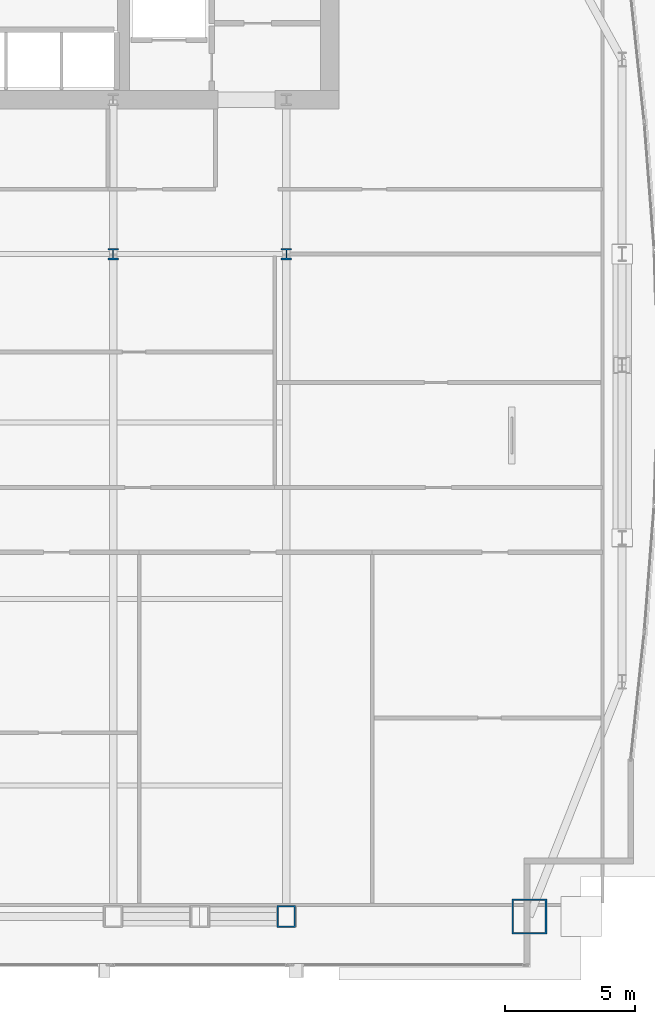
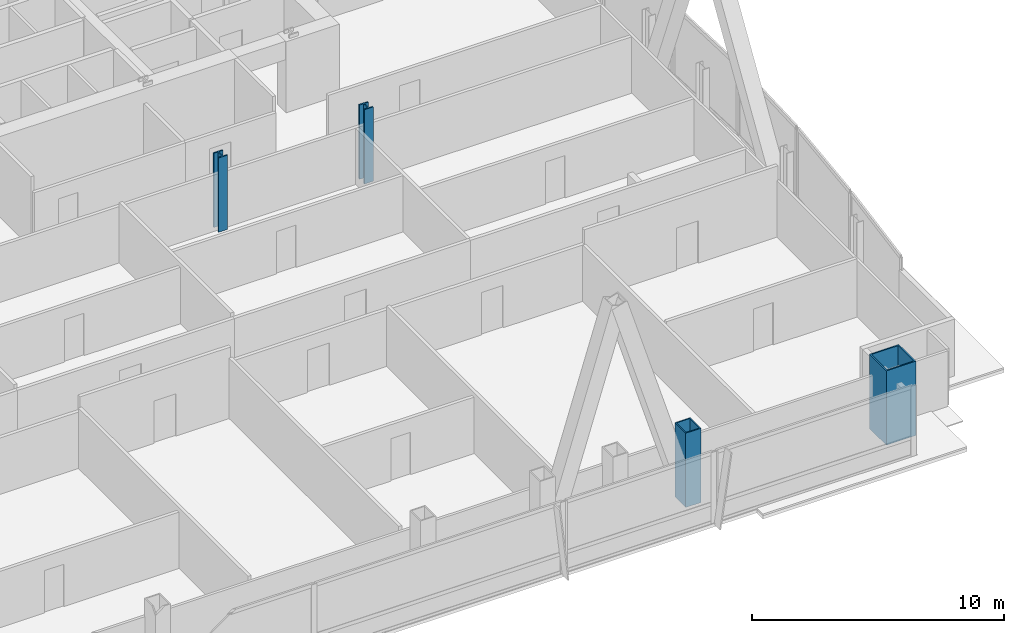
# One storey, part 2 of 30: 4 columns.
"""IFC4 building model written with IfcOpenShell, lengths in metres."""

from ifc_helpers import new_model, si_unit, direction, frame, origin, origin_2d, place, context, subcontext, project, spatial, hollow_rectangle, i_section, extrude, material, material_profile, profile_set, type_object, element, save


model = new_model("IFC4")

# Units and contexts
model_context = context("Model", 3, precision=1e-05, world=origin(), true_north=direction((0.0, 1.0)))
body_context = subcontext(model_context, "Body", "Model", "MODEL_VIEW")
ifc_project = project(units=[si_unit("LENGTHUNIT", "METRE"), si_unit("AREAUNIT", "SQUARE_METRE"), si_unit("VOLUMEUNIT", "CUBIC_METRE"), si_unit("PLANEANGLEUNIT", "RADIAN"), si_unit("MASSUNIT", "GRAM", prefix="KILO")], contexts=[model_context])

# Site, building, storey
site_placement = place(None, origin())
site = spatial("IfcSite", under=ifc_project, at=site_placement, CompositionType="ELEMENT")
building_placement = place(site_placement, origin())
building = spatial("IfcBuilding", under=site, at=building_placement, Name="Khoronbel Lancet Exchange", CompositionType="ELEMENT")
storey_placement = place(building_placement, frame((0.0, 0.0, 136.199951171875)))
storey = spatial("IfcBuildingStorey", under=building, at=storey_placement, Name="L33", CompositionType="ELEMENT", Elevation=136.199951171875)

# Columns
ifc_material = material(Name="Steel S460", Category="steel")
ifc_material_profile_1 = material_profile(ifc_material, hollow_rectangle(XDim=0.699951171875, YDim=0.85009765625, WallThickness=0.050048828125, at=origin_2d()), Name="BOX 850x700x50")
ifc_profile_set_1 = profile_set([ifc_material_profile_1], Name="Steel S460")
column_type_1 = type_object("IfcColumnType", Name="COL-EC2", PredefinedType="COLUMN", material=ifc_profile_set_1)
column_1_placement = place(storey_placement, frame((54.675048828125, 10.14990234375, 0.0), z_axis=(0.0, 0.0, 1.0), x_axis=(1.0, 0.0, 0.0)))
element("IfcColumn", 1, at=column_1_placement, inside=storey, type_object=column_type_1, Name="Structural column SC-E2 L33", PredefinedType="COLUMN", context=body_context, shape_type="SweptSolid", body=[
    extrude(hollow_rectangle(XDim=0.699951171875, YDim=0.85009765625, WallThickness=0.050048828125, at=origin_2d()), origin(), (0.0, 0.0, 1.0), 3.60009765625),
])
ifc_material_profile_2 = material_profile(ifc_material, i_section(OverallWidth=0.416015625, OverallDepth=0.446044921875, WebThickness=0.0390625, FlangeThickness=0.062744140625, at=origin_2d()), Name="HD 400x509")
ifc_profile_set_2 = profile_set([ifc_material_profile_2], Name="Steel S460")
column_type_2 = type_object("IfcColumnType", Name="COL-IC2", PredefinedType="COLUMN", material=ifc_profile_set_2)
for number, where, z_axis, x_axis, name in (
    (2, (48.0, 35.699951171875, 0.0), (0.0, 0.0, 1.0), (1.0, 0.0, 0.0), "Spine gravity column TC3 L33"),
    (3, (54.675048828125, 35.699951171875, 0.0), (0.0, 0.0, 1.0), (1.0, 0.0, 0.0), "Spine gravity column TC4 L33"),
):
    element("IfcColumn", number, at=place(storey_placement, frame(where, z_axis=z_axis, x_axis=x_axis)), inside=storey, type_object=column_type_2, Name=name, PredefinedType="COLUMN", context=body_context, shape_type="SweptSolid", body=[
        extrude(i_section(OverallWidth=0.416015625, OverallDepth=0.446044921875, WebThickness=0.0390625, FlangeThickness=0.062744140625, at=origin_2d()), origin(), (0.0, 0.0, 1.0), 3.60009765625),
    ])
ifc_material_profile_3 = material_profile(ifc_material, hollow_rectangle(XDim=1.35009765625, YDim=1.35009765625, WallThickness=0.06494140625, at=origin_2d()), Name="BOX 1350x1350x65")
ifc_profile_set_3 = profile_set([ifc_material_profile_3], Name="Steel S460")
column_type_3 = type_object("IfcColumnType", Name="COL-MC4", PredefinedType="COLUMN", material=ifc_profile_set_3)
column_2_placement = place(storey_placement, frame((64.050048828125, 10.14990234375, 0.0), z_axis=(0.0, 0.0, 1.0), x_axis=(1.0, 0.0, 0.0)))
element("IfcColumn", 4, at=column_2_placement, inside=storey, type_object=column_type_3, Name="Structural column MC-SE L33", PredefinedType="COLUMN", context=body_context, shape_type="SweptSolid", body=[
    extrude(hollow_rectangle(XDim=1.35009765625, YDim=1.35009765625, WallThickness=0.06494140625, at=origin_2d()), origin(), (0.0, 0.0, 1.0), 3.60009765625),
])

save(model, "model.ifc")
